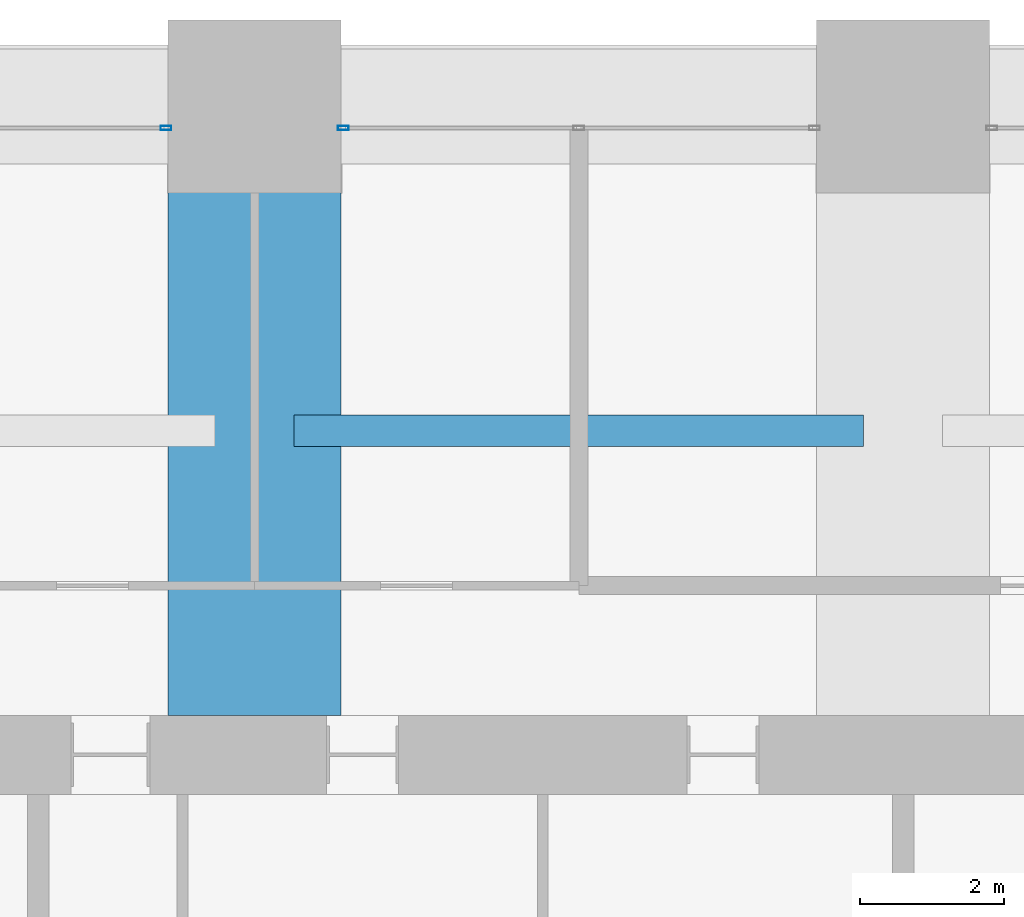
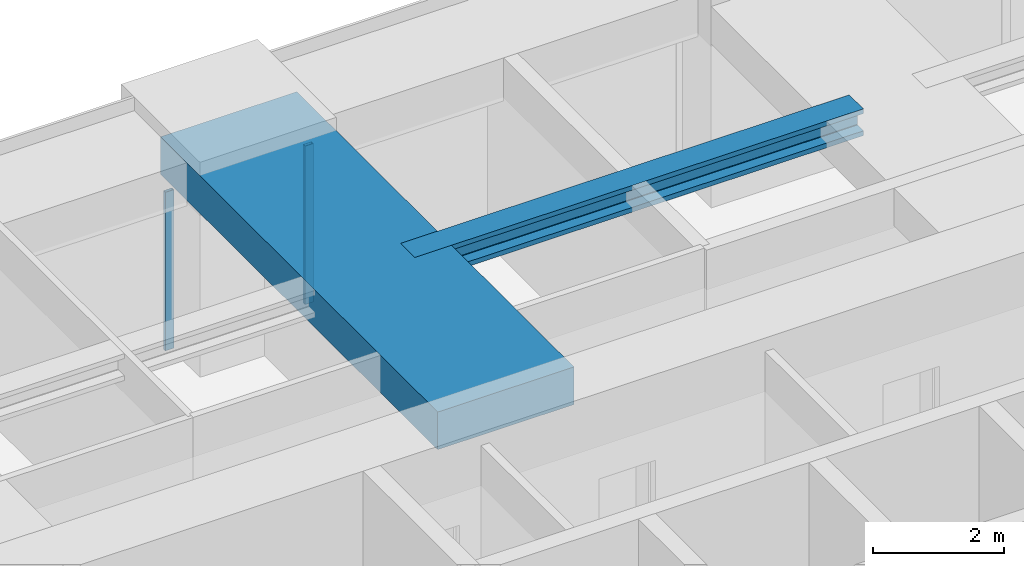
# One storey, part 29 of 42: 2 beams, 2 members, 2 elements without a shape of their own.
"""IFC4 building model written with IfcOpenShell, lengths in metres."""

from ifc_helpers import new_model, si_unit, direction, frame, origin, origin_2d, place, context, subcontext, project, spatial, rectangle, hollow_rectangle, i_section, extrude, material, material_profile, profile_set, type_object, element, aggregate, save


model = new_model("IFC4")

# Units and contexts
model_context = context("Model", 3, precision=1e-05, world=origin(), true_north=direction((0.0, 1.0)))
body_context = subcontext(model_context, "Body", "Model", "MODEL_VIEW")
ifc_project = project(units=[si_unit("LENGTHUNIT", "METRE"), si_unit("AREAUNIT", "SQUARE_METRE"), si_unit("VOLUMEUNIT", "CUBIC_METRE"), si_unit("PLANEANGLEUNIT", "RADIAN"), si_unit("MASSUNIT", "GRAM", prefix="KILO")], contexts=[model_context])

# Site, building, storey
site_placement = place(None, origin())
site = spatial("IfcSite", under=ifc_project, at=site_placement, CompositionType="ELEMENT")
building_placement = place(site_placement, origin())
building = spatial("IfcBuilding", under=site, at=building_placement, Name="Zorevar Civic Tower", CompositionType="ELEMENT")
storey_placement = place(building_placement, frame((0.0, 0.0, 149.0)))
storey = spatial("IfcBuildingStorey", under=building, at=storey_placement, Name="L36", CompositionType="ELEMENT", Elevation=149.0)

# Beam
ifc_material_1 = material(Name="Concrete C50/60", Category="concrete")
ifc_material_profile_1 = material_profile(ifc_material_1, rectangle(XDim=2.39990234375, YDim=0.699951171875, at=origin_2d()), Name="RC 2400x700")
ifc_profile_set_1 = profile_set([ifc_material_profile_1], Name="Concrete C50/60")
beam_type_1 = type_object("IfcBeamType", Name="Beam RC 2400x700", PredefinedType="BEAM", material=ifc_profile_set_1)
beam_1_placement = place(storey_placement, frame((27.0, 36.550048828125, 3.39990234375), z_axis=(0.0, 1.0, 0.0), x_axis=(-1.0, 0.0, 0.0)))
element("IfcBeam", 1, at=beam_1_placement, inside=storey, type_object=beam_type_1, Name="Girder L37", PredefinedType="BEAM", context=body_context, shape_type="SweptSolid", body=[
    extrude(rectangle(XDim=2.39990234375, YDim=0.699951171875, at=origin_2d()), origin(), (0.0, 0.0, 1.0), 8.449951171875),
])

# Curtain wall, member
ifc_material_2 = material(Name="Dark grey solar-control glass in black aluminium frame", Category="aluminium")
curtain_wall_type = type_object("IfcCurtainWallType", Name="Curtain wall CW3 mid zone", PredefinedType="NOTDEFINED", material=ifc_material_2)
curtain_wall_1_placement = place(storey_placement, origin())
curtain_wall_1 = element("IfcCurtainWall", 2, at=curtain_wall_1_placement, inside=storey, type_object=curtain_wall_type, Name="CW3 L36", PredefinedType="NOTDEFINED")
ifc_material_3 = material(Name="Aluminium, black anodised", Category="aluminium")
ifc_material_profile_2 = material_profile(ifc_material_3, hollow_rectangle(XDim=0.06005859375, YDim=0.14990234375, WallThickness=0.00390625, at=origin_2d()), Name="AL 150x60x4")
ifc_profile_set_2 = profile_set([ifc_material_profile_2], Name="Aluminium, black anodised")
member_type = type_object("IfcMemberType", Name="CW3 mullion AL 150x60x4", PredefinedType="MULLION", material=ifc_profile_set_2)
member_1_placement = place(storey_placement, frame((25.77001953125, 44.699951171875, 0.0), z_axis=(0.0, 0.0, 1.0), x_axis=(0.0, 1.0, 0.0)))
member_1 = element("IfcMember", 3, at=member_1_placement, type_object=member_type, Name="CW3 mullion 3", PredefinedType="MULLION", context=body_context, shape_type="SweptSolid", body=[
    extrude(hollow_rectangle(XDim=0.06005859375, YDim=0.14990234375, WallThickness=0.00390625, at=origin_2d()), origin(), (0.0, 0.0, 1.0), 2.949951171875),
])
aggregate(curtain_wall_1, [member_1])

curtain_wall_2_placement = place(storey_placement, origin())
curtain_wall_2 = element("IfcCurtainWall", 4, at=curtain_wall_2_placement, inside=storey, type_object=curtain_wall_type, Name="CW3 L36", PredefinedType="NOTDEFINED")
member_2_placement = place(storey_placement, frame((28.22998046875, 44.699951171875, 0.0), z_axis=(0.0, 0.0, 1.0), x_axis=(0.0, 1.0, 0.0)))
member_2 = element("IfcMember", 5, at=member_2_placement, type_object=member_type, Name="CW3 mullion 1", PredefinedType="MULLION", context=body_context, shape_type="SweptSolid", body=[
    extrude(hollow_rectangle(XDim=0.06005859375, YDim=0.14990234375, WallThickness=0.00390625, at=origin_2d()), origin(), (0.0, 0.0, 1.0), 2.949951171875),
])
aggregate(curtain_wall_2, [member_2])

# Beam
ifc_material_4 = material(Name="Steel S460M (HISTAR 460)", Category="steel")
ifc_material_profile_3 = material_profile(ifc_material_4, i_section(OverallWidth=0.431884765625, OverallDepth=0.498046875, WebThickness=0.0556640625, FlangeThickness=0.0888671875, FilletRadius=0.014892578125, at=origin_2d()), Name="HD 400x744")
ifc_profile_set_3 = profile_set([ifc_material_profile_3], Name="Steel S460M (HISTAR 460)")
beam_type_2 = type_object("IfcBeamType", Name="Core bay beam HD 400x744", PredefinedType="BEAM", material=ifc_profile_set_3)
beam_2_placement = place(storey_placement, frame((27.550048828125, 40.5, 3.5009765625), z_axis=(1.0, 0.0, 0.0), x_axis=(0.0, 1.0, 0.0)))
element("IfcBeam", 6, at=beam_2_placement, inside=storey, type_object=beam_type_2, Name="Secondary beam L37", PredefinedType="BEAM", context=body_context, shape_type="SweptSolid", body=[
    extrude(i_section(OverallWidth=0.431884765625, OverallDepth=0.498046875, WebThickness=0.0556640625, FlangeThickness=0.0888671875, FilletRadius=0.014892578125, at=origin_2d()), origin(), (0.0, 0.0, 1.0), 7.89990234375),
])

save(model, "model.ifc")
